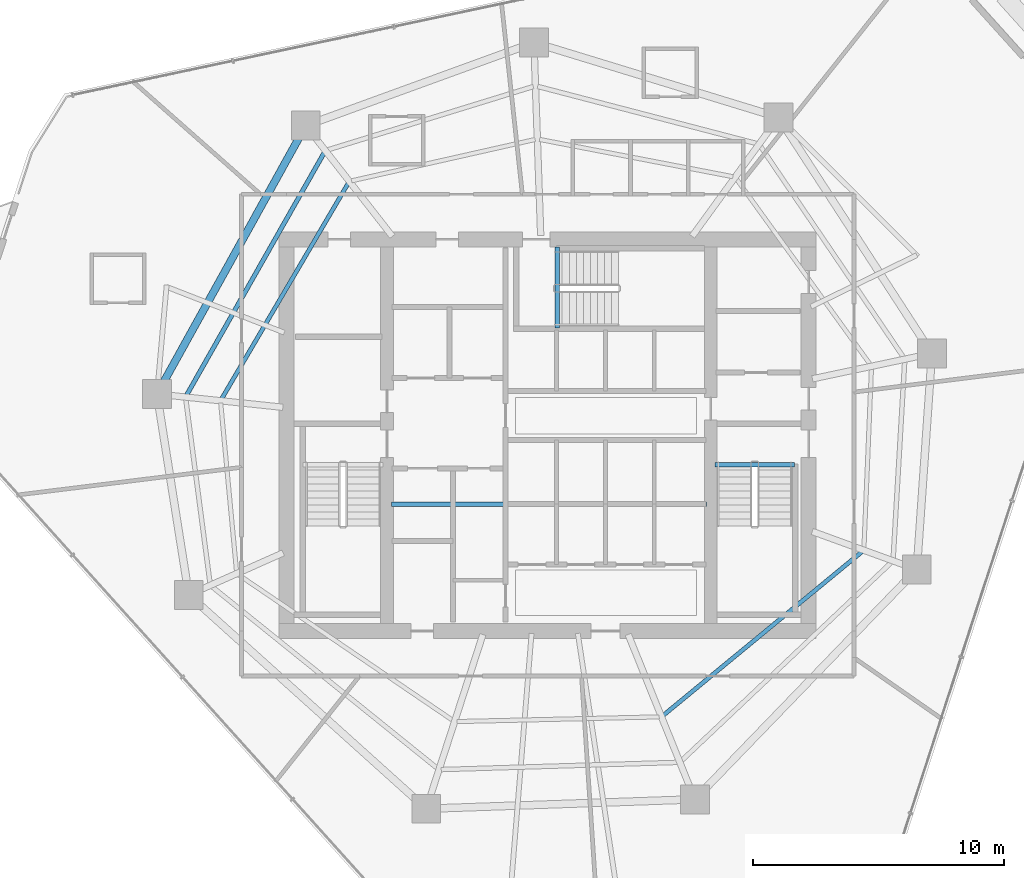
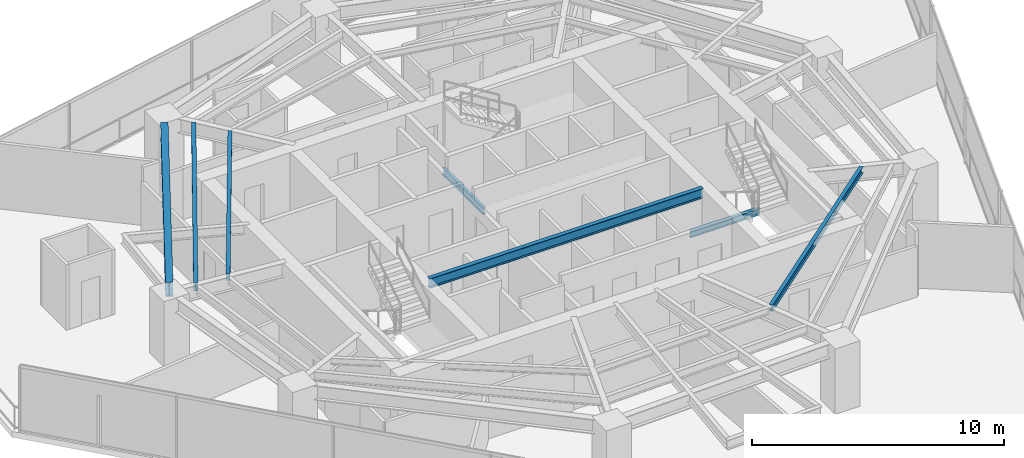
# One storey, part 9 of 27: 7 beams.
"""IFC4 building model written with IfcOpenShell, lengths in metres."""

from ifc_helpers import new_model, si_unit, direction, frame, origin, origin_2d, place, context, subcontext, project, spatial, i_section, extrude, material, material_profile, profile_set, type_object, element, save


model = new_model("IFC4")

# Units and contexts
model_context = context("Model", 3, precision=1e-05, world=origin(), true_north=direction((0.0, 1.0)))
body_context = subcontext(model_context, "Body", "Model", "MODEL_VIEW")
ifc_project = project(units=[si_unit("LENGTHUNIT", "METRE"), si_unit("AREAUNIT", "SQUARE_METRE"), si_unit("VOLUMEUNIT", "CUBIC_METRE"), si_unit("PLANEANGLEUNIT", "RADIAN"), si_unit("MASSUNIT", "GRAM", prefix="KILO")], contexts=[model_context])

# Site, building, storey
site_placement = place(None, origin())
site = spatial("IfcSite", under=ifc_project, at=site_placement, CompositionType="ELEMENT")
building_placement = place(site_placement, origin())
building = spatial("IfcBuilding", under=site, at=building_placement, Name="Qarnah Convention Tower", CompositionType="ELEMENT")
storey_placement = place(building_placement, frame((0.0, 0.0, 110.85009765625)))
storey = spatial("IfcBuildingStorey", under=building, at=storey_placement, Name="L29", CompositionType="ELEMENT", Elevation=110.85009765625)

# Beams
ifc_material = material(Name="Structural steel S355JR", Category="steel")
ifc_material_profile_1 = material_profile(ifc_material, i_section(OverallWidth=0.19189453125, OverallDepth=0.464111328125, WebThickness=0.010986328125, FlangeThickness=0.01806640625, at=origin_2d()), Name="W460X89")
ifc_profile_set_1 = profile_set([ifc_material_profile_1], Name="Structural steel S355JR")
beam_type_1 = type_object("IfcBeamType", Name="BM-CANT-W460A", PredefinedType="BEAM", material=ifc_profile_set_1)
beam_1_placement = place(storey_placement, frame((30.97998046875, 23.64990234375, 2.93798828125), z_axis=(1.0, 0.0, 0.0), x_axis=(0.0, 1.0, 0.0)))
element("IfcBeam", 1, at=beam_1_placement, inside=storey, type_object=beam_type_1, Name="L29 beam BM-L29-KC1", PredefinedType="BEAM", context=body_context, shape_type="SweptSolid", body=[
    extrude(i_section(OverallWidth=0.19189453125, OverallDepth=0.464111328125, WebThickness=0.010986328125, FlangeThickness=0.01806640625, at=origin_2d()), origin(), (0.0, 0.0, 1.0), 12.5400390625),
])
ifc_material_profile_2 = material_profile(ifc_material, i_section(OverallWidth=0.166015625, OverallDepth=0.31201171875, WebThickness=0.007080078125, FlangeThickness=0.010986328125, at=origin_2d()), Name="W310X45")
ifc_profile_set_2 = profile_set([ifc_material_profile_2], Name="Structural steel S355JR")
beam_type_2 = type_object("IfcBeamType", Name="BM-JST-W310", PredefinedType="JOIST", material=ifc_profile_set_2)
beam_2_placement = place(storey_placement, frame((43.860107421875, 25.217041015625, -0.156005859375), z_axis=(1.0, 0.0, 0.0), x_axis=(0.0, 1.0, 0.0)))
element("IfcBeam", 2, at=beam_2_placement, inside=storey, type_object=beam_type_2, Name="L29 stair landing trimmer beam BM-L29-ST2-TRM", PredefinedType="BEAM", context=body_context, shape_type="SweptSolid", body=[
    extrude(i_section(OverallWidth=0.166015625, OverallDepth=0.31201171875, WebThickness=0.007080078125, FlangeThickness=0.010986328125, at=origin_2d()), origin(), (0.0, 0.0, 1.0), 3.179931640625),
])
beam_3_placement = place(storey_placement, frame((37.5830078125, 30.659912109375, -0.156005859375), z_axis=(0.0, 1.0, 0.0), x_axis=(-1.0, 0.0, 0.0)))
element("IfcBeam", 3, at=beam_3_placement, inside=storey, type_object=beam_type_2, Name="L29 stair landing trimmer beam BM-L29-ST3-TRM", PredefinedType="BEAM", context=body_context, shape_type="SweptSolid", body=[
    extrude(i_section(OverallWidth=0.166015625, OverallDepth=0.31201171875, WebThickness=0.007080078125, FlangeThickness=0.010986328125, at=origin_2d()), origin(), (0.0, 0.0, 1.0), 3.239990234375),
])
beam_4_placement = place(storey_placement, frame((29.25390625, 36.43310546875, 3.013916015625), z_axis=(-0.506413461825, -0.862290789515, 0.0), x_axis=(0.862290789515, -0.506413461825, 0.0)))
element("IfcBeam", 4, at=beam_4_placement, inside=storey, type_object=beam_type_2, Name="L29 joist BM-L29-IJST-04", PredefinedType="JOIST", context=body_context, shape_type="SweptSolid", body=[
    extrude(i_section(OverallWidth=0.166015625, OverallDepth=0.31201171875, WebThickness=0.007080078125, FlangeThickness=0.010986328125, at=origin_2d()), origin(), (0.0, 0.0, 1.0), 9.956298828125),
])
beam_5_placement = place(storey_placement, frame((41.803955078125, 15.235107421875, 3.013916015625), z_axis=(0.772023617409, 0.63559384371, 0.0), x_axis=(-0.63559384371, 0.772023617409, 0.0)))
element("IfcBeam", 5, at=beam_5_placement, inside=storey, type_object=beam_type_2, Name="L29 joist BM-L29-IJST-08", PredefinedType="JOIST", context=body_context, shape_type="SweptSolid", body=[
    extrude(i_section(OverallWidth=0.166015625, OverallDepth=0.31201171875, WebThickness=0.007080078125, FlangeThickness=0.010986328125, at=origin_2d()), origin(), (0.0, 0.0, 1.0), 10.2626953125),
])
ifc_material_profile_3 = material_profile(ifc_material, i_section(OverallWidth=0.177978515625, OverallDepth=0.407958984375, WebThickness=0.008056640625, FlangeThickness=0.012939453125, at=origin_2d()), Name="W410X60")
ifc_profile_set_3 = profile_set([ifc_material_profile_3], Name="Structural steel S355JR")
beam_type_3 = type_object("IfcBeamType", Name="BM-JST-W410", PredefinedType="JOIST", material=ifc_profile_set_3)
beam_6_placement = place(storey_placement, frame((28.300048828125, 37.656982421875, 2.9658203125), z_axis=(-0.493630675482, -0.869671637012, 0.0), x_axis=(0.869671637012, -0.493630675482, 0.0)))
element("IfcBeam", 6, at=beam_6_placement, inside=storey, type_object=beam_type_3, Name="L29 joist BM-L29-SJST-04", PredefinedType="JOIST", context=body_context, shape_type="SweptSolid", body=[
    extrude(i_section(OverallWidth=0.177978515625, OverallDepth=0.407958984375, WebThickness=0.008056640625, FlangeThickness=0.012939453125, at=origin_2d()), origin(), (0.0, 0.0, 1.0), 11.10986328125),
])
ifc_material_profile_4 = material_profile(ifc_material, i_section(OverallWidth=0.300048828125, OverallDepth=0.699951171875, WebThickness=0.01708984375, FlangeThickness=0.031982421875, at=origin_2d()), Name="HEB700")
ifc_profile_set_4 = profile_set([ifc_material_profile_4], Name="Structural steel S355JR")
beam_type_4 = type_object("IfcBeamType", Name="BM-RING-HEB700", PredefinedType="BEAM", material=ifc_profile_set_4)
beam_7_placement = place(storey_placement, frame((27.291015625, 38.238037109375, 2.81982421875), z_axis=(-0.484800448222, -0.874624791212, 0.0), x_axis=(0.874624791212, -0.484800448222, 0.0)))
element("IfcBeam", 7, at=beam_7_placement, inside=storey, type_object=beam_type_4, Name="L29 beam BM-L29-SPN-04", PredefinedType="BEAM", context=body_context, shape_type="SweptSolid", body=[
    extrude(i_section(OverallWidth=0.300048828125, OverallDepth=0.699951171875, WebThickness=0.01708984375, FlangeThickness=0.031982421875, at=origin_2d()), origin(), (0.0, 0.0, 1.0), 11.099609375),
])

save(model, "model.ifc")
